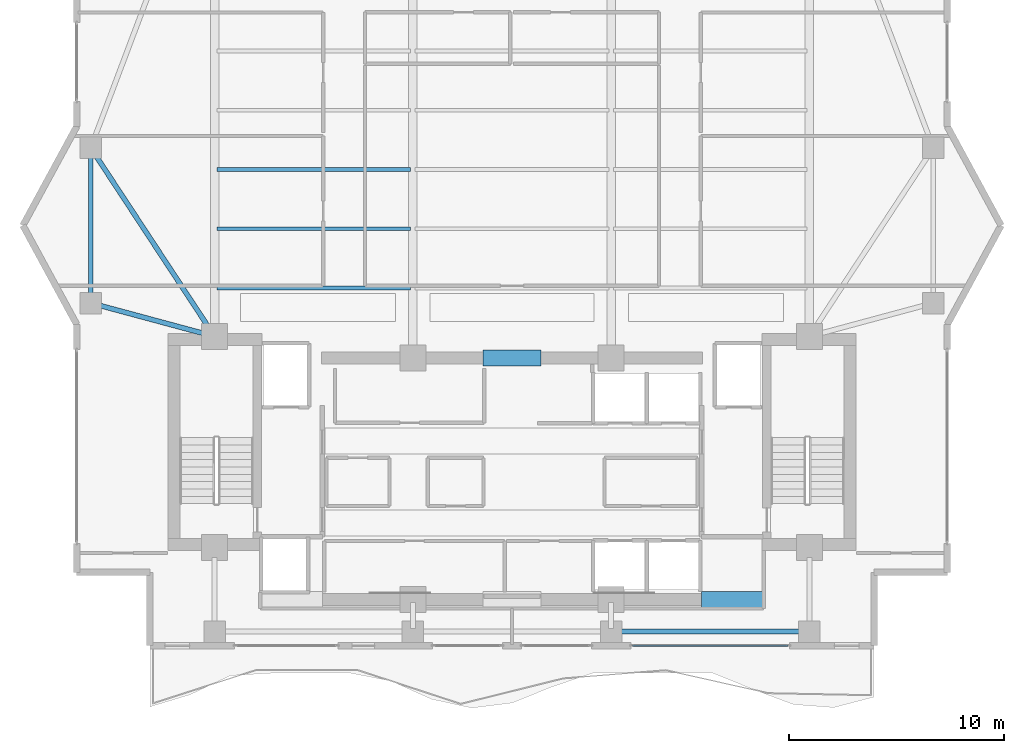
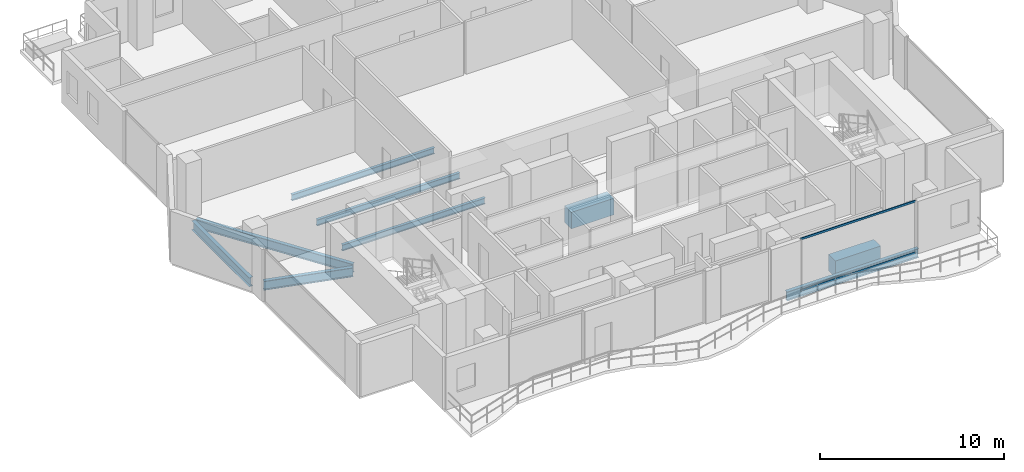
# One storey, part 5 of 23: 9 beams, 2 members, 1 element without a shape of its own.
"""IFC4 building model written with IfcOpenShell, lengths in metres."""

from ifc_helpers import new_model, si_unit, direction, frame, origin, origin_2d, place, context, subcontext, project, spatial, rectangle, hollow_rectangle, i_section, extrude, material, layer, layer_set, material_profile, profile_set, type_object, element, aggregate, save


model = new_model("IFC4")

# Units and contexts
model_context = context("Model", 3, precision=1e-05, world=origin(), true_north=direction((0.0, 1.0)))
body_context = subcontext(model_context, "Body", "Model", "MODEL_VIEW")
ifc_project = project(units=[si_unit("LENGTHUNIT", "METRE"), si_unit("AREAUNIT", "SQUARE_METRE"), si_unit("VOLUMEUNIT", "CUBIC_METRE"), si_unit("PLANEANGLEUNIT", "RADIAN"), si_unit("MASSUNIT", "GRAM", prefix="KILO")], contexts=[model_context])

# Site, building, storey
site_placement = place(None, origin())
site = spatial("IfcSite", under=ifc_project, at=site_placement, CompositionType="ELEMENT")
building_placement = place(site_placement, origin())
building = spatial("IfcBuilding", under=site, at=building_placement, Name="Zuhayl Quay Hotel", CompositionType="ELEMENT")
storey_placement = place(building_placement, frame((0.0, 0.0, 272.949951171875)))
storey = spatial("IfcBuildingStorey", under=building, at=storey_placement, Name="L69", CompositionType="ELEMENT", Elevation=272.949951171875)

# Beams
ifc_material_1 = material(Name="Steel ASTM A992 Grade 50", Category="steel")
ifc_material_profile_1 = material_profile(ifc_material_1, i_section(OverallWidth=0.22802734375, OverallDepth=0.60693359375, WebThickness=0.01123046875, FlangeThickness=0.017333984375, at=origin_2d()), Name="W24X76")
ifc_profile_set_1 = profile_set([ifc_material_profile_1], Name="Steel ASTM A992 Grade 50")
beam_type_1 = type_object("IfcBeamType", Name="BM_B3_W24X76", PredefinedType="BEAM", material=ifc_profile_set_1)
beam_1_placement = place(storey_placement, frame((5.06005859375, 0.64990234375, -0.5234375), z_axis=(1.0, 0.0, 0.0), x_axis=(0.0, 1.0, 0.0)))
element("IfcBeam", 1, at=beam_1_placement, inside=storey, type_object=beam_type_1, Name="L69 Floor Beam RG_L69_03", PredefinedType="BEAM", context=body_context, shape_type="SweptSolid", body=[
    extrude(i_section(OverallWidth=0.22802734375, OverallDepth=0.60693359375, WebThickness=0.01123046875, FlangeThickness=0.017333984375, at=origin_2d()), origin(), (0.0, 0.0, 1.0), 8.280029296875),
])
beam_2_placement = place(storey_placement, frame((-19.550048828125, 22.639892578125, -0.5234375), z_axis=(0.0, -1.0, 0.0), x_axis=(1.0, 0.0, 0.0)))
element("IfcBeam", 2, at=beam_2_placement, inside=storey, type_object=beam_type_1, Name="L69 Floor Beam RG_L69_11", PredefinedType="BEAM", context=body_context, shape_type="SweptSolid", body=[
    extrude(i_section(OverallWidth=0.22802734375, OverallDepth=0.60693359375, WebThickness=0.01123046875, FlangeThickness=0.017333984375, at=origin_2d()), origin(), (0.0, 0.0, 1.0), 6.27978515625),
])
beam_3_placement = place(storey_placement, frame((-19.10595703125, 15.7802734375, -0.5234375), z_axis=(0.965530205773, -0.26029103277, 0.0), x_axis=(0.26029103277, 0.965530205773, 0.0)))
element("IfcBeam", 3, at=beam_3_placement, inside=storey, type_object=beam_type_1, Name="L69 Floor Beam FG_W_L69_1", PredefinedType="BEAM", context=body_context, shape_type="SweptSolid", body=[
    extrude(i_section(OverallWidth=0.22802734375, OverallDepth=0.60693359375, WebThickness=0.01123046875, FlangeThickness=0.017333984375, at=origin_2d()), origin(), (0.0, 0.0, 1.0), 5.045166015625),
])
beam_4_placement = place(storey_placement, frame((-19.29736328125, 22.715576171875, -0.5234375), z_axis=(0.549177886661, -0.835705479701, 0.0), x_axis=(0.835705479701, 0.549177886661, 0.0)))
element("IfcBeam", 4, at=beam_4_placement, inside=storey, type_object=beam_type_1, Name="L69 Floor Beam FG_W_L69_2", PredefinedType="BEAM", context=body_context, shape_type="SweptSolid", body=[
    extrude(i_section(OverallWidth=0.22802734375, OverallDepth=0.60693359375, WebThickness=0.01123046875, FlangeThickness=0.017333984375, at=origin_2d()), origin(), (0.0, 0.0, 1.0), 9.560302734375),
])
ifc_material_2 = material(Name="Concrete C60/75", Category="concrete")
ifc_material_profile_2 = material_profile(ifc_material_2, rectangle(XDim=0.75, YDim=1.10009765625, at=origin_2d()), Name="RC750X1100")
ifc_profile_set_2 = profile_set([ifc_material_profile_2], Name="Concrete C60/75")
beam_type_2 = type_object("IfcBeamType", Name="BM_CB2_RC750", PredefinedType="T_BEAM", material=ifc_profile_set_2)
beam_5_placement = place(storey_placement, frame((8.800048828125, 2.14990234375, -0.77001953125), z_axis=(1.0, 0.0, 0.0), x_axis=(0.0, 1.0, 0.0)))
element("IfcBeam", 5, at=beam_5_placement, inside=storey, type_object=beam_type_2, Name="L69 Core Coupling Beam SE", PredefinedType="T_BEAM", context=body_context, shape_type="SweptSolid", body=[
    extrude(rectangle(XDim=0.75, YDim=1.10009765625, at=origin_2d()), origin(), (0.0, 0.0, 1.0), 2.849853515625),
])
beam_6_placement = place(storey_placement, frame((-1.35009765625, 13.35009765625, -0.77001953125), z_axis=(1.0, 0.0, 0.0), x_axis=(0.0, 1.0, 0.0)))
element("IfcBeam", 6, at=beam_6_placement, inside=storey, type_object=beam_type_2, Name="L69 Core Coupling Beam North", PredefinedType="T_BEAM", context=body_context, shape_type="SweptSolid", body=[
    extrude(rectangle(XDim=0.75, YDim=1.10009765625, at=origin_2d()), origin(), (0.0, 0.0, 1.0), 2.7001953125),
])
ifc_material_profile_3 = material_profile(ifc_material_1, i_section(OverallWidth=0.177978515625, OverallDepth=0.404052734375, WebThickness=0.007568359375, FlangeThickness=0.010986328125, at=origin_2d()), Name="W16X36")
ifc_profile_set_3 = profile_set([ifc_material_profile_3], Name="Steel ASTM A992 Grade 50")
beam_type_3 = type_object("IfcBeamType", Name="BM_J3_W16X36", PredefinedType="JOIST", material=ifc_profile_set_3)
for number, where, z_axis, x_axis, name in (
    (7, (-13.694091796875, 16.60009765625, -0.421875), (1.0, 0.0, 0.0), (0.0, 1.0, 0.0), "L69 Floor Beam FJ_L69_1_1"),
    (8, (-13.694091796875, 19.35009765625, -0.421875), (1.0, 0.0, 0.0), (0.0, 1.0, 0.0), "L69 Floor Beam FJ_L69_2_1"),
    (9, (-13.694091796875, 22.10009765625, -0.421875), (1.0, 0.0, 0.0), (0.0, 1.0, 0.0), "L69 Floor Beam FJ_L69_3_1"),
):
    element("IfcBeam", number, at=place(storey_placement, frame(where, z_axis=z_axis, x_axis=x_axis)), inside=storey, type_object=beam_type_3, Name=name, PredefinedType="JOIST", context=body_context, shape_type="SweptSolid", body=[
        extrude(i_section(OverallWidth=0.177978515625, OverallDepth=0.404052734375, WebThickness=0.007568359375, FlangeThickness=0.010986328125, at=origin_2d()), origin(), (0.0, 0.0, 1.0), 8.988037109375),
    ])

# Curtain wall, members
ifc_material_3 = material(Name="Anodised Aluminium 6063-T6", Category="aluminium")
ifc_layer = layer(ifc_material_3, 0.169921875, Name="Anodised Aluminium 6063-T6", Category="aluminium")
ifc_layer_set = layer_set([ifc_layer], Name="Anodised Aluminium 6063-T6")
curtain_wall_type = type_object("IfcCurtainWallType", Name="CW_SYS_Z4", PredefinedType="USERDEFINED", material=ifc_layer_set)
curtain_wall_placement = place(storey_placement, origin())
curtain_wall = element("IfcCurtainWall", 10, at=curtain_wall_placement, inside=storey, type_object=curtain_wall_type, Name="L69 Curtain Wall ENV_L69_S_CW1", ObjectType="UNITISED CURTAIN WALL", PredefinedType="USERDEFINED")
ifc_material_4 = material(Name="Black-anodised aluminium 6063-T6", Category="aluminium")
ifc_material_profile_4 = material_profile(ifc_material_4, hollow_rectangle(XDim=0.054931640625, YDim=0.1298828125, WallThickness=0.0029296875, at=origin_2d()), Name="ALU130X55")
ifc_profile_set_4 = profile_set([ifc_material_profile_4], Name="Black-anodised aluminium 6063-T6")
member_type = type_object("IfcMemberType", Name="MB_CW_TRN_130", PredefinedType="USERDEFINED", material=ifc_profile_set_4)
member_1_placement = place(storey_placement, frame((12.81494140625, 0.0, 0.027587890625), z_axis=(-1.0, 0.0, 0.0), x_axis=(0.0, -1.0, 0.0)))
member_1 = element("IfcMember", 11, at=member_1_placement, type_object=member_type, Name="CW-Z4 transom 1.1", ObjectType="TRANSOM", PredefinedType="USERDEFINED", context=body_context, shape_type="SweptSolid", body=[
    extrude(hollow_rectangle(XDim=0.054931640625, YDim=0.1298828125, WallThickness=0.0029296875, at=origin_2d()), origin(), (0.0, 0.0, 1.0), 7.22998046875),
])
member_2_placement = place(storey_placement, frame((12.81494140625, 0.0, 3.45263671875), z_axis=(-1.0, 0.0, 0.0), x_axis=(0.0, -1.0, 0.0)))
member_2 = element("IfcMember", 12, at=member_2_placement, type_object=member_type, Name="CW-Z4 transom 1.2", ObjectType="TRANSOM", PredefinedType="USERDEFINED", context=body_context, shape_type="SweptSolid", body=[
    extrude(hollow_rectangle(XDim=0.054931640625, YDim=0.1298828125, WallThickness=0.0029296875, at=origin_2d()), origin(), (0.0, 0.0, 1.0), 7.22998046875),
])
aggregate(curtain_wall, [member_1, member_2])

save(model, "model.ifc")
